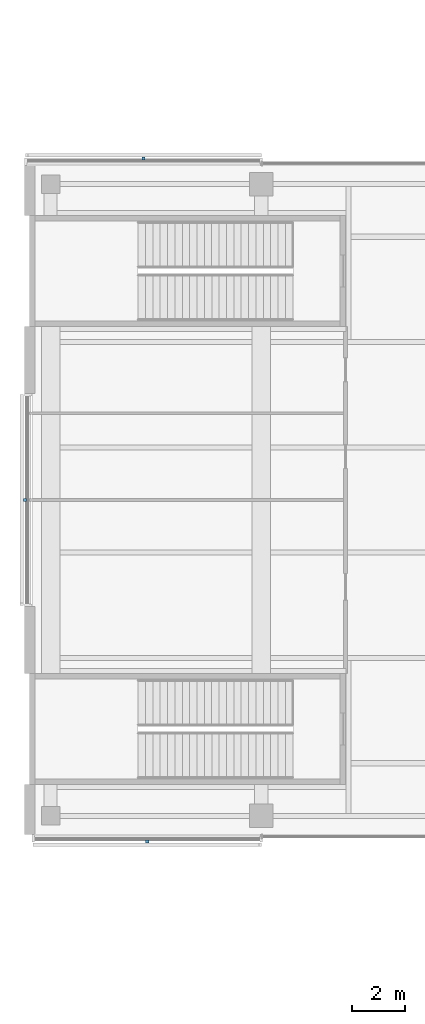
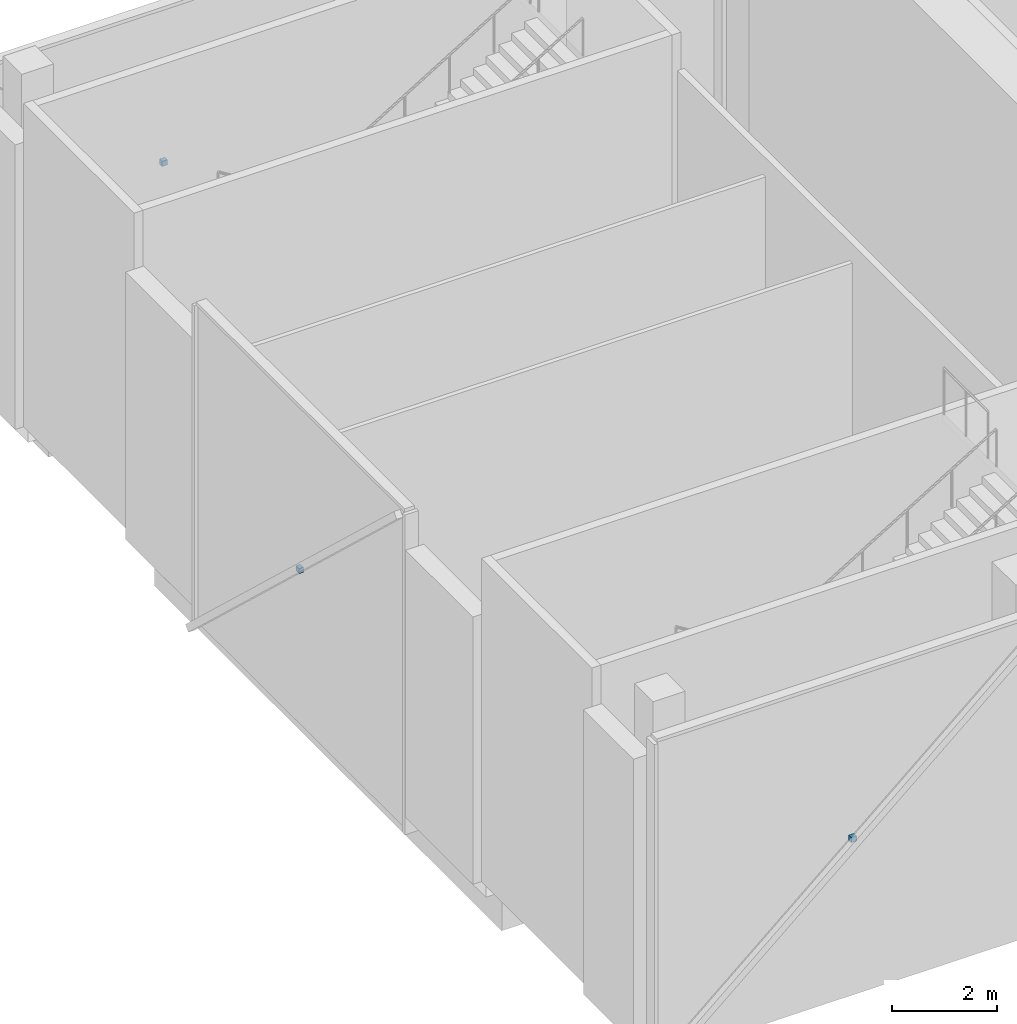
# One storey, part 21 of 25: 3 discrete accessories.
"""IFC4 building model written with IfcOpenShell, lengths in metres."""

import ifcopenshell
import ifcopenshell.guid

model = None  # the IFC model being written
_history = None  # IfcOwnerHistory: only IFC2X3 demands one
_inside = {}  # id of a spatial element -> (the spatial element, [elements in it])
_under = {}  # id of a project, library or spatial element -> (it, [spatial elements below it])
_declared = {}  # id of a project -> (the project, [libraries it declares])
_typed = {}  # id of a type object -> (the type object, [elements of that type])
_made_of = {}  # id of a material, layer set ... -> (it, [elements and type objects made of it])


def new_model(schema):
    """Start an empty IFC model of exactly this schema.

    Asked for "IFC4X3", IfcOpenShell would pick the latest addendum, in which some entities
    have other attributes; the version numbers below select the first issue.
    IFC2X3 requires an IfcOwnerHistory on every rooted entity: one is made here for all.
    """
    global model, _history
    if schema == "IFC4X3":
        model = ifcopenshell.file(schema_version=(4, 3, 0, 0))
    else:
        model = ifcopenshell.file(schema=schema)
    _inside.clear()
    _under.clear()
    _declared.clear()
    _typed.clear()
    _made_of.clear()
    _history = None
    if model.schema == "IFC2X3":
        org = make("IfcOrganization", Name="unknown")
        user = make(
            "IfcPersonAndOrganization",
            ThePerson=make("IfcPerson", FamilyName="unknown"),
            TheOrganization=org,
        )
        app = make(
            "IfcApplication",
            ApplicationDeveloper=org,
            Version="unknown",
            ApplicationFullName="unknown",
            ApplicationIdentifier="unknown",
        )
        _history = make(
            "IfcOwnerHistory",
            OwningUser=user,
            OwningApplication=app,
            ChangeAction="ADDED",
            CreationDate=0,
        )
    return model


def make(cls, **values):
    """One entity of the class cls with the attributes given. An attribute that is None is left unset."""
    return model.create_entity(
        cls, **{name: value for name, value in values.items() if value is not None}
    )


def rooted(cls, **values):
    """An entity with a GlobalId (a new one), such as an element, a storey or a relation."""
    return make(cls, GlobalId=ifcopenshell.guid.new(), OwnerHistory=_history, **values)


def si_unit(unit_type, name, prefix=None):
    """IfcSIUnit, for example si_unit("LENGTHUNIT", "METRE", prefix="MILLI")."""
    return make("IfcSIUnit", UnitType=unit_type, Prefix=prefix, Name=name)


def assignment(units):
    """IfcUnitAssignment: the units of a project."""
    return None if units is None else make("IfcUnitAssignment", Units=units)


def point(xyz):
    """IfcCartesianPoint."""
    return None if xyz is None else make("IfcCartesianPoint", Coordinates=xyz)


def direction(xyz):
    """IfcDirection."""
    return None if xyz is None else make("IfcDirection", DirectionRatios=xyz)


def frame(location, z_axis=None, x_axis=None):
    """IfcAxis2Placement3D, a coordinate frame: its origin and axes. An axis left out is left unset."""
    return make(
        "IfcAxis2Placement3D",
        Location=point(location),
        Axis=direction(z_axis),
        RefDirection=direction(x_axis),
    )


def frame_2d(location, x_axis=None):
    """IfcAxis2Placement2D, a coordinate frame in the plane: its origin and x axis."""
    return make(
        "IfcAxis2Placement2D", Location=point(location), RefDirection=direction(x_axis)
    )


def origin():
    """The frame at (0, 0, 0) with its axes left unset."""
    return frame((0.0, 0.0, 0.0))


def origin_2d():
    """The frame at (0, 0) in the plane with its x axis left unset."""
    return frame_2d((0.0, 0.0))


def place(relative_to, where):
    """IfcLocalPlacement: puts the frame where relative to a parent placement (None: the world)."""
    return make(
        "IfcLocalPlacement", PlacementRelTo=relative_to, RelativePlacement=where
    )


def context(
    kind, dimensions, precision=None, world=None, true_north=None, identifier=None
):
    """IfcGeometricRepresentationContext, for example the 3D "Model" context."""
    return make(
        "IfcGeometricRepresentationContext",
        ContextIdentifier=identifier,
        ContextType=kind,
        CoordinateSpaceDimension=dimensions,
        Precision=precision,
        WorldCoordinateSystem=world,
        TrueNorth=true_north,
    )


def subcontext(parent, identifier, kind, view, scale=None):
    """IfcGeometricRepresentationSubContext, for example "Body" below "Model"."""
    return make(
        "IfcGeometricRepresentationSubContext",
        ContextIdentifier=identifier,
        ContextType=kind,
        ParentContext=parent,
        TargetScale=scale,
        TargetView=view,
    )


def project(units=None, contexts=None):
    """IfcProject with its units and contexts."""
    return rooted(
        "IfcProject",
        Name="project",
        RepresentationContexts=contexts,
        UnitsInContext=assignment(units),
    )


def spatial(cls, under=None, at=None, **own):
    """A site, building, storey or space (cls), placed at a placement, below another one or the project."""
    s = rooted(cls, ObjectPlacement=at, **own)
    if under is not None:
        _under.setdefault(under.id(), (under, []))[1].append(s)
    return s


def profile(cls, at=None, kind="AREA", **sizes):
    """A parametric profile (cls). Its sizes go by their IFC names, for example OverallWidth=200.0."""
    return make(cls, ProfileType=kind, Position=at, **sizes)


def rectangle(**sizes):
    """IfcRectangleProfileDef."""
    return profile("IfcRectangleProfileDef", **sizes)


def extrude(swept, where, along, depth):
    """IfcExtrudedAreaSolid: the profile swept, set in the frame where, extruded along a direction by depth."""
    return make(
        "IfcExtrudedAreaSolid",
        SweptArea=swept,
        Position=where,
        ExtrudedDirection=direction(along),
        Depth=depth,
    )


def shape(context_of_items, identifier, shape_type, items):
    """IfcShapeRepresentation: the items that make up one representation, for example the "Body"."""
    return make(
        "IfcShapeRepresentation",
        ContextOfItems=context_of_items,
        RepresentationIdentifier=identifier,
        RepresentationType=shape_type,
        Items=items,
    )


def material(Name=None, Category=None):
    """IfcMaterial."""
    return make("IfcMaterial", Name=Name, Category=Category)


def made_of(thing, what):
    """Note that an element or type object is made of a material, layer set ...; save() writes the relation."""
    if what is not None:
        _made_of.setdefault(what.id(), (what, []))[1].append(thing)
    return thing


def type_object(cls, material=None, **own):
    """A type object (cls), such as IfcWallType, which elements share."""
    return made_of(rooted(cls, **own), material)


def element(
    cls,
    number,
    at=None,
    inside=None,
    cuts=None,
    type_object=None,
    material=None,
    context=None,
    identifier="Body",
    shape_type=None,
    held_by="IfcProductDefinitionShape",
    body=None,
    shapes=None,
    **own,
):
    """One element of the class cls, such as IfcWall. Its Tag is "e" and its number.

    at: its placement. inside: the storey or other place that contains it. cuts: it is an
    opening in that element (IfcRelVoidsElement). A single representation is given by context,
    identifier, shape_type and body (its items); several are given by shapes. held_by: the class
    of the entity that holds the representations. save() writes the other relations.
    """
    e = rooted(cls, Tag="e%d" % number, ObjectPlacement=at, **own)
    if body is not None:
        shapes = [shape(context, identifier, shape_type, body)]
    if shapes is not None:
        e.Representation = make(held_by, Representations=shapes)
    if inside is not None:
        _inside.setdefault(inside.id(), (inside, []))[1].append(e)
    if cuts is not None:
        rooted(
            "IfcRelVoidsElement", RelatingBuildingElement=cuts, RelatedOpeningElement=e
        )
    if type_object is not None:
        _typed.setdefault(type_object.id(), (type_object, []))[1].append(e)
    return made_of(e, material)


def aggregate(whole, parts):
    """IfcRelAggregates: a whole, such as a stair, and the parts it consists of."""
    return rooted("IfcRelAggregates", RelatingObject=whole, RelatedObjects=parts)


def save(model, path):
    """Write the relations noted so far, then the file.

    IfcRelAggregates (storeys below a building ...), IfcRelContainedInSpatialStructure (elements
    in a storey), IfcRelDefinesByType, IfcRelAssociatesMaterial and IfcRelDeclares: one each for
    every whole, place, type object, material and project.
    """
    for whole, parts in _under.values():
        aggregate(whole, parts)
    for where, things in _inside.values():
        rooted(
            "IfcRelContainedInSpatialStructure",
            RelatedElements=things,
            RelatingStructure=where,
        )
    for kind, things in _typed.values():
        rooted("IfcRelDefinesByType", RelatedObjects=things, RelatingType=kind)
    for what, things in _made_of.values():
        rooted("IfcRelAssociatesMaterial", RelatedObjects=things, RelatingMaterial=what)
    for by, libraries in _declared.values():
        rooted("IfcRelDeclares", RelatingContext=by, RelatedDefinitions=libraries)
    model.write(path)


model = new_model("IFC4")

# Units and contexts
model_context = context("Model", 3, precision=1e-05, world=origin(), true_north=direction((0.0, 1.0)))
body_context = subcontext(model_context, "Body", "Model", "MODEL_VIEW")
ifc_project = project(units=[si_unit("LENGTHUNIT", "METRE"), si_unit("AREAUNIT", "SQUARE_METRE"), si_unit("VOLUMEUNIT", "CUBIC_METRE"), si_unit("PLANEANGLEUNIT", "RADIAN"), si_unit("MASSUNIT", "GRAM", prefix="KILO")], contexts=[model_context])

# Site, building, storey
site_placement = place(None, origin())
site = spatial("IfcSite", under=ifc_project, at=site_placement, CompositionType="ELEMENT")
building_placement = place(site_placement, origin())
building = spatial("IfcBuilding", under=site, at=building_placement, Name="Crosswind Convention Tower", CompositionType="ELEMENT")
storey_placement = place(building_placement, frame((0.0, 0.0, 34.0)))
storey = spatial("IfcBuildingStorey", under=building, at=storey_placement, Name="L04", CompositionType="ELEMENT", Elevation=34.0)

# Discrete accessories
ifc_material = material(Name="Stainless steel", Category="steel")
discrete_accessory_type = type_object("IfcDiscreteAccessoryType", Name="BAGUETTE BRACKET BK1", PredefinedType="BRACKET", material=ifc_material)
for number, where, z_axis, x_axis, name in (
    (1, (84.527587890625, 112.97412109375, 3.25), (0.0, 0.0, 1.0), (-1.0, 0.0, 0.0), "BK1 baguette bracket"),
    (2, (80.02587890625, 100.0, 3.25), (0.0, 0.0, 1.0), (0.0, -1.0, 0.0), "BK1 baguette bracket"),
    (3, (84.669921875, 87.02587890625, 3.25), (0.0, 0.0, 1.0), (1.0, 0.0, 0.0), "BK1 baguette bracket"),
):
    element("IfcDiscreteAccessory", number, at=place(storey_placement, frame(where, z_axis=z_axis, x_axis=x_axis)), inside=storey, type_object=discrete_accessory_type, Name=name, PredefinedType="BRACKET", context=body_context, shape_type="SweptSolid", body=[
        extrude(rectangle(XDim=0.1201171875, YDim=0.10009765625, at=origin_2d()), origin(), (0.0, 0.0, 1.0), 0.1201171875),
    ])

save(model, "model.ifc")
